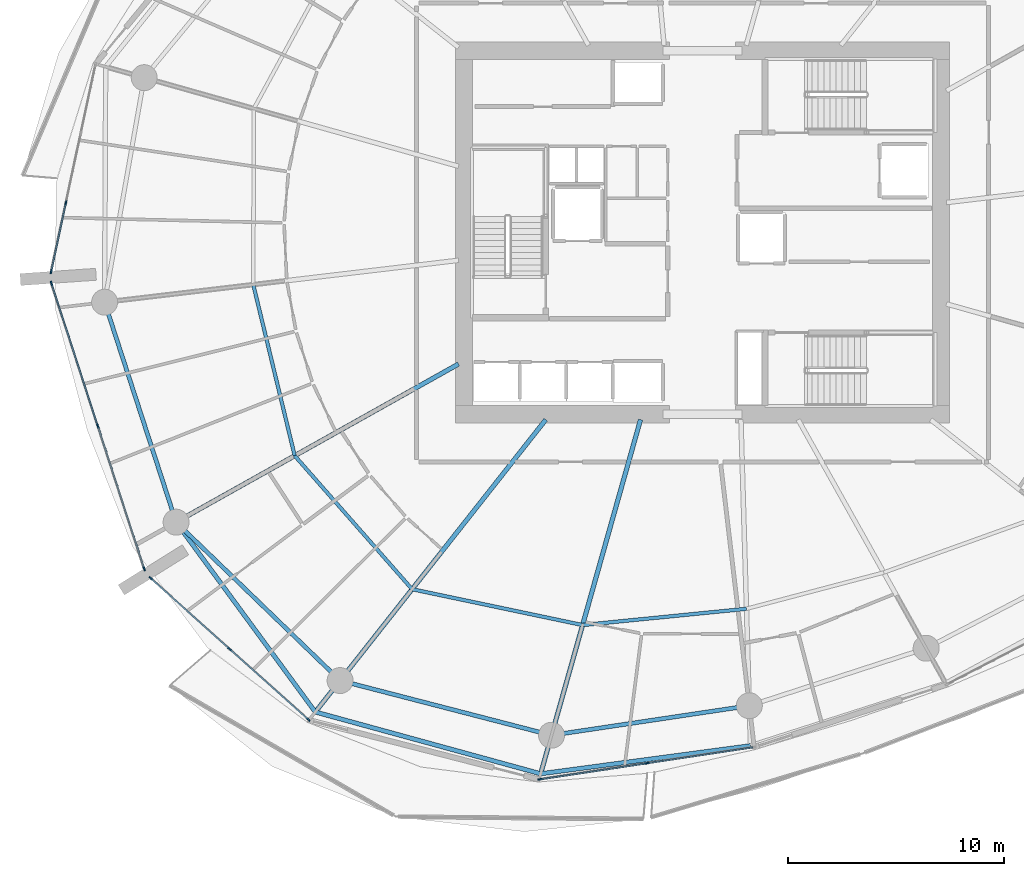
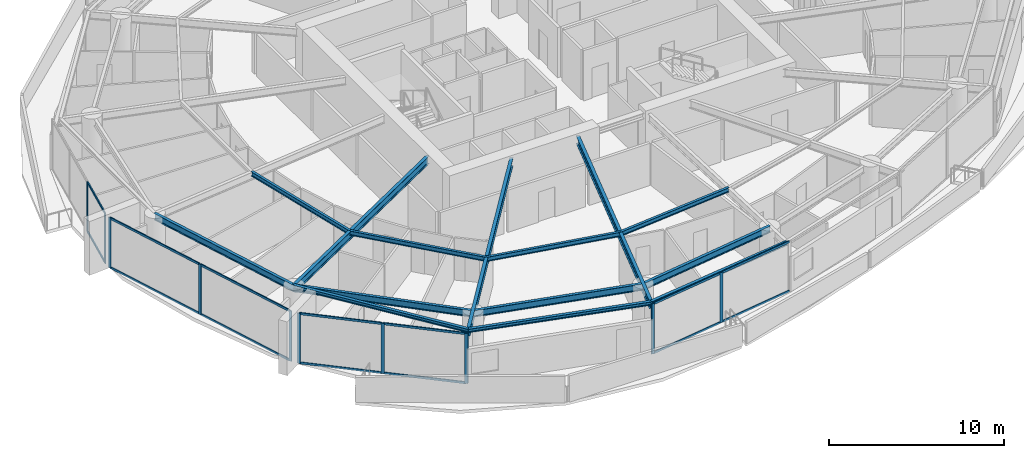
# One storey, part 5 of 23: 24 members, 14 beams, 4 elements without a shape of their own.
"""IFC4 building model written with IfcOpenShell, lengths in metres."""

from ifc_helpers import new_model, si_unit, direction, frame, origin, origin_2d, place, context, subcontext, project, spatial, rectangle, i_section, extrude, material, layer, layer_set, material_profile, profile_set, type_object, element, aggregate, save


model = new_model("IFC4")

# Units and contexts
model_context = context("Model", 3, precision=1e-05, world=origin(), true_north=direction((0.0, 1.0)))
body_context = subcontext(model_context, "Body", "Model", "MODEL_VIEW")
ifc_project = project(units=[si_unit("LENGTHUNIT", "METRE"), si_unit("AREAUNIT", "SQUARE_METRE"), si_unit("VOLUMEUNIT", "CUBIC_METRE"), si_unit("PLANEANGLEUNIT", "RADIAN"), si_unit("MASSUNIT", "GRAM", prefix="KILO")], contexts=[model_context])

# Site, building, storey
site_placement = place(None, origin())
site = spatial("IfcSite", under=ifc_project, at=site_placement, CompositionType="ELEMENT")
building_placement = place(site_placement, origin())
building = spatial("IfcBuilding", under=site, at=building_placement, Name="Kazma Halo Residences", CompositionType="ELEMENT")
storey_placement = place(building_placement, frame((0.0, 0.0, 86.39990234375)))
storey = spatial("IfcBuildingStorey", under=building, at=storey_placement, Name="L21", CompositionType="ELEMENT", Elevation=86.39990234375)

# Beams
ifc_material_1 = material(Name="Steel S355", Category="steel")
ifc_material_profile_1 = material_profile(ifc_material_1, i_section(OverallWidth=0.201904296875, OverallDepth=0.2470703125, WebThickness=0.00732421875, FlangeThickness=0.010986328125, FilletRadius=0.011962890625, at=origin_2d()), Name="W250x49.1")
ifc_profile_set_1 = profile_set([ifc_material_profile_1], Name="Steel S355")
beam_type_1 = type_object("IfcBeamType", Name="BM-BAL-CANT", PredefinedType="BEAM", material=ifc_profile_set_1)
beam_1_placement = place(storey_placement, frame((24.0966796875, 28.613525390625, 3.376708984375), z_axis=(0.59144927253, -0.806342209005, 0.0), x_axis=(0.806342209005, 0.59144927253, 0.0)))
element("IfcBeam", 1, at=beam_1_placement, inside=storey, type_object=beam_type_1, Name="L21 wave-balcony lead tie beam 09", PredefinedType="BEAM", context=body_context, shape_type="SweptSolid", body=[
    extrude(i_section(OverallWidth=0.201904296875, OverallDepth=0.2470703125, WebThickness=0.00732421875, FlangeThickness=0.010986328125, FilletRadius=0.011962890625, at=origin_2d()), origin(), (0.0, 0.0, 1.0), 10.87939453125),
])
beam_2_placement = place(storey_placement, frame((30.53125, 19.841064453125, 3.376708984375), z_axis=(0.964396617, -0.264460139, 0.0), x_axis=(0.264460139, 0.964396617, 0.0)))
element("IfcBeam", 2, at=beam_2_placement, inside=storey, type_object=beam_type_1, Name="L21 wave-balcony tie beam 10", PredefinedType="BEAM", context=body_context, shape_type="SweptSolid", body=[
    extrude(i_section(OverallWidth=0.201904296875, OverallDepth=0.2470703125, WebThickness=0.00732421875, FlangeThickness=0.010986328125, FilletRadius=0.011962890625, at=origin_2d()), origin(), (0.0, 0.0, 1.0), 10.79833984375),
])
beam_3_placement = place(storey_placement, frame((40.945068359375, 16.9853515625, 3.376708984375), z_axis=(0.991182511795, 0.13250369169, 0.0), x_axis=(-0.13250369169, 0.991182511795, 0.0)))
element("IfcBeam", 3, at=beam_3_placement, inside=storey, type_object=beam_type_1, Name="L21 wave-balcony tie beam 11", PredefinedType="BEAM", context=body_context, shape_type="SweptSolid", body=[
    extrude(i_section(OverallWidth=0.201904296875, OverallDepth=0.2470703125, WebThickness=0.00732421875, FlangeThickness=0.010986328125, FilletRadius=0.011962890625, at=origin_2d()), origin(), (0.0, 0.0, 1.0), 9.78369140625),
])
ifc_material_profile_2 = material_profile(ifc_material_1, i_section(OverallWidth=0.208984375, OverallDepth=0.532958984375, WebThickness=0.01025390625, FlangeThickness=0.015625, FilletRadius=0.01611328125, at=origin_2d()), Name="W530x92")
ifc_profile_set_2 = profile_set([ifc_material_profile_2], Name="Steel S355")
beam_type_2 = type_object("IfcBeamType", Name="BM-RAD-W530", PredefinedType="BEAM", material=ifc_profile_set_2)
beam_4_placement = place(storey_placement, frame((37.14990234375, 35.923583984375, 3.233642578125), z_axis=(-0.87249878074, -0.488616288724, 0.0), x_axis=(0.488616288724, -0.87249878074, 0.0)))
element("IfcBeam", 4, at=beam_4_placement, inside=storey, type_object=beam_type_2, Name="L21 radial floor beam 09", PredefinedType="BEAM", context=body_context, shape_type="SweptSolid", body=[
    extrude(i_section(OverallWidth=0.208984375, OverallDepth=0.532958984375, WebThickness=0.01025390625, FlangeThickness=0.015625, FilletRadius=0.01611328125, at=origin_2d()), origin(), (0.0, 0.0, 1.0), 14.960693359375),
])
beam_5_placement = place(storey_placement, frame((41.180908203125, 33.35009765625, 3.233642578125), z_axis=(-0.619093774822, -0.785317068436, 0.0), x_axis=(0.785317068436, -0.619093774822, 0.0)))
element("IfcBeam", 5, at=beam_5_placement, inside=storey, type_object=beam_type_2, Name="L21 radial floor beam 10", PredefinedType="BEAM", context=body_context, shape_type="SweptSolid", body=[
    extrude(i_section(OverallWidth=0.208984375, OverallDepth=0.532958984375, WebThickness=0.01025390625, FlangeThickness=0.015625, FilletRadius=0.01611328125, at=origin_2d()), origin(), (0.0, 0.0, 1.0), 17.201904296875),
])
beam_6_placement = place(storey_placement, frame((45.560302734375, 33.35009765625, 3.233642578125), z_axis=(-0.271434928076, -0.962456793742, 0.0), x_axis=(0.962456793742, -0.271434928076, 0.0)))
element("IfcBeam", 6, at=beam_6_placement, inside=storey, type_object=beam_type_2, Name="L21 radial floor beam 11", PredefinedType="BEAM", context=body_context, shape_type="SweptSolid", body=[
    extrude(i_section(OverallWidth=0.208984375, OverallDepth=0.532958984375, WebThickness=0.01025390625, FlangeThickness=0.015625, FilletRadius=0.01611328125, at=origin_2d()), origin(), (0.0, 0.0, 1.0), 17.003173828125),
])
ifc_material_profile_3 = material_profile(ifc_material_1, i_section(OverallWidth=0.1650390625, OverallDepth=0.31005859375, WebThickness=0.005859375, FlangeThickness=0.009765625, FilletRadius=0.011962890625, at=origin_2d()), Name="W310x38.7")
ifc_profile_set_3 = profile_set([ifc_material_profile_3], Name="Steel S355")
beam_type_3 = type_object("IfcBeamType", Name="BM-SEC-W310B", PredefinedType="JOIST", material=ifc_profile_set_3)
beam_7_placement = place(storey_placement, frame((27.6630859375, 39.593017578125, 3.34521484375), z_axis=(0.235442033286, -0.971888393264, 0.0), x_axis=(0.971888393264, 0.235442033286, 0.0)))
element("IfcBeam", 7, at=beam_7_placement, inside=storey, type_object=beam_type_3, Name="L21 circumferential floor joist 08", PredefinedType="JOIST", context=body_context, shape_type="SweptSolid", body=[
    extrude(i_section(OverallWidth=0.1650390625, OverallDepth=0.31005859375, WebThickness=0.005859375, FlangeThickness=0.009765625, FilletRadius=0.011962890625, at=origin_2d()), origin(), (0.0, 0.0, 1.0), 8.137939453125),
])
beam_8_placement = place(storey_placement, frame((29.5791015625, 31.683837890625, 3.34521484375), z_axis=(0.660379309564, -0.750932199003, 0.0), x_axis=(0.750932199003, 0.660379309564, 0.0)))
element("IfcBeam", 8, at=beam_8_placement, inside=storey, type_object=beam_type_3, Name="L21 circumferential floor joist 09", PredefinedType="JOIST", context=body_context, shape_type="SweptSolid", body=[
    extrude(i_section(OverallWidth=0.1650390625, OverallDepth=0.31005859375, WebThickness=0.005859375, FlangeThickness=0.009765625, FilletRadius=0.011962890625, at=origin_2d()), origin(), (0.0, 0.0, 1.0), 8.215087890625),
])
beam_9_placement = place(storey_placement, frame((35.004150390625, 25.514892578125, 3.34521484375), z_axis=(0.978607976751, -0.205733876255, 0.0), x_axis=(0.205733876255, 0.978607976751, 0.0)))
element("IfcBeam", 9, at=beam_9_placement, inside=storey, type_object=beam_type_3, Name="L21 circumferential floor joist 10", PredefinedType="JOIST", context=body_context, shape_type="SweptSolid", body=[
    extrude(i_section(OverallWidth=0.1650390625, OverallDepth=0.31005859375, WebThickness=0.005859375, FlangeThickness=0.009765625, FilletRadius=0.011962890625, at=origin_2d()), origin(), (0.0, 0.0, 1.0), 8.051513671875),
])
beam_10_placement = place(storey_placement, frame((42.883544921875, 23.8583984375, 3.34521484375), z_axis=(0.995106821048, 0.098804932586, 0.0), x_axis=(-0.098804932586, 0.995106821048, 0.0)))
element("IfcBeam", 10, at=beam_10_placement, inside=storey, type_object=beam_type_3, Name="L21 circumferential floor joist 11", PredefinedType="JOIST", context=body_context, shape_type="SweptSolid", body=[
    extrude(i_section(OverallWidth=0.1650390625, OverallDepth=0.31005859375, WebThickness=0.005859375, FlangeThickness=0.009765625, FilletRadius=0.011962890625, at=origin_2d()), origin(), (0.0, 0.0, 1.0), 7.610595703125),
])
ifc_material_profile_4 = material_profile(ifc_material_1, i_section(OverallWidth=0.18994140625, OverallDepth=0.45703125, WebThickness=0.009033203125, FlangeThickness=0.014404296875, FilletRadius=0.01611328125, at=origin_2d()), Name="W460x74")
ifc_profile_set_4 = profile_set([ifc_material_profile_4], Name="Steel S355")
beam_type_4 = type_object("IfcBeamType", Name="BM-SPN-W460", PredefinedType="BEAM", material=ifc_profile_set_4)
beam_11_placement = place(storey_placement, frame((20.79345703125, 38.77978515625, 3.271484375), z_axis=(0.309017385422, -0.951056389236, 0.0), x_axis=(0.951056389236, 0.309017385422, 0.0)))
element("IfcBeam", 11, at=beam_11_placement, inside=storey, type_object=beam_type_4, Name="L21 perimeter ring beam 08", PredefinedType="BEAM", context=body_context, shape_type="SweptSolid", body=[
    extrude(i_section(OverallWidth=0.18994140625, OverallDepth=0.45703125, WebThickness=0.009033203125, FlangeThickness=0.014404296875, FilletRadius=0.01611328125, at=origin_2d()), origin(), (0.0, 0.0, 1.0), 10.689453125),
])
beam_12_placement = place(storey_placement, frame((24.0966796875, 28.613525390625, 3.271484375), z_axis=(0.719336783114, -0.694661494873, 0.0), x_axis=(0.694661494873, 0.719336783114, 0.0)))
element("IfcBeam", 12, at=beam_12_placement, inside=storey, type_object=beam_type_4, Name="L21 perimeter ring beam 09", PredefinedType="BEAM", context=body_context, shape_type="SweptSolid", body=[
    extrude(i_section(OverallWidth=0.18994140625, OverallDepth=0.45703125, WebThickness=0.009033203125, FlangeThickness=0.014404296875, FilletRadius=0.01611328125, at=origin_2d()), origin(), (0.0, 0.0, 1.0), 10.537353515625),
])
beam_13_placement = place(storey_placement, frame((31.676513671875, 21.293701171875, 3.271484375), z_axis=(0.968124968683, -0.250467652626, 0.0), x_axis=(0.250467652626, 0.968124968683, 0.0)))
element("IfcBeam", 13, at=beam_13_placement, inside=storey, type_object=beam_type_4, Name="L21 perimeter ring beam 10", PredefinedType="BEAM", context=body_context, shape_type="SweptSolid", body=[
    extrude(i_section(OverallWidth=0.18994140625, OverallDepth=0.45703125, WebThickness=0.009033203125, FlangeThickness=0.014404296875, FilletRadius=0.01611328125, at=origin_2d()), origin(), (0.0, 0.0, 1.0), 10.092529296875),
])
beam_14_placement = place(storey_placement, frame((41.447265625, 18.765869140625, 3.271484375), z_axis=(0.989034176303, 0.147686824414, 0.0), x_axis=(-0.147686824414, 0.989034176303, 0.0)))
element("IfcBeam", 14, at=beam_14_placement, inside=storey, type_object=beam_type_4, Name="L21 perimeter ring beam 11", PredefinedType="BEAM", context=body_context, shape_type="SweptSolid", body=[
    extrude(i_section(OverallWidth=0.18994140625, OverallDepth=0.45703125, WebThickness=0.009033203125, FlangeThickness=0.014404296875, FilletRadius=0.01611328125, at=origin_2d()), origin(), (0.0, 0.0, 1.0), 9.242431640625),
])

# Curtain wall, members
ifc_material_2 = material(Name="Aluminium AW-6063 T6 and Triple-Silver Low-E Glass", Category="aluminium")
ifc_layer = layer(ifc_material_2, 0.199951171875)
ifc_layer_set = layer_set([ifc_layer], Name="Aluminium AW-6063 T6 and Triple-Silver Low-E Glass")
curtain_wall_type = type_object("IfcCurtainWallType", Name="CW-SYS-3", PredefinedType="NOTDEFINED", material=ifc_layer_set)
curtain_wall_1_placement = place(storey_placement, origin())
curtain_wall_1 = element("IfcCurtainWall", 15, at=curtain_wall_1_placement, inside=storey, type_object=curtain_wall_type, Name="L21 unitised curtain wall B07", PredefinedType="NOTDEFINED")
ifc_material_3 = material(Name="Aluminium AW-6063 T6", Category="aluminium")
ifc_material_profile_5 = material_profile(ifc_material_3, rectangle(XDim=0.070068359375, YDim=0.199951171875, at=origin_2d()), Name="CWM-70x200")
ifc_profile_set_5 = profile_set([ifc_material_profile_5], Name="Aluminium AW-6063 T6")
member_type_1 = type_object("IfcMemberType", Name="CW-SYS-3-MUL", PredefinedType="MULLION", material=ifc_profile_set_5)
member_1_placement = place(storey_placement, frame((19.004638671875, 43.36865234375, 0.0), z_axis=(0.0, 0.0, 1.0), x_axis=(0.977774176093, -0.209660822677, 0.0)))
member_1 = element("IfcMember", 16, at=member_1_placement, type_object=member_type_1, Name="CWS-3 mullion 3", PredefinedType="MULLION", context=body_context, shape_type="SweptSolid", body=[
    extrude(rectangle(XDim=0.070068359375, YDim=0.199951171875, at=origin_2d()), origin(), (0.0, 0.0, 1.0), 3.5),
])
member_2_placement = place(storey_placement, frame((18.323486328125, 40.192626953125, 0.0), z_axis=(0.0, 0.0, 1.0), x_axis=(0.977774176093, -0.209660822677, 0.0)))
member_2 = element("IfcMember", 17, at=member_2_placement, type_object=member_type_1, Name="CWS-3 mullion 4", PredefinedType="MULLION", context=body_context, shape_type="SweptSolid", body=[
    extrude(rectangle(XDim=0.070068359375, YDim=0.199951171875, at=origin_2d()), origin(), (0.0, 0.0, 1.0), 3.5),
])

curtain_wall_2_placement = place(storey_placement, origin())
curtain_wall_2 = element("IfcCurtainWall", 18, at=curtain_wall_2_placement, inside=storey, type_object=curtain_wall_type, Name="L21 unitised curtain wall B08", PredefinedType="NOTDEFINED")
member_3_placement = place(storey_placement, frame((18.334716796875, 39.6572265625, 0.0), z_axis=(0.0, 0.0, 1.0), x_axis=(0.951057722508, 0.309013282008, 0.0)))
member_3 = element("IfcMember", 19, at=member_3_placement, type_object=member_type_1, Name="CWS-3 mullion 1", PredefinedType="MULLION", context=body_context, shape_type="SweptSolid", body=[
    extrude(rectangle(XDim=0.070068359375, YDim=0.199951171875, at=origin_2d()), origin(), (0.0, 0.0, 1.0), 3.5),
])
member_4_placement = place(storey_placement, frame((20.47900390625, 33.057861328125, 0.0), z_axis=(0.0, 0.0, 1.0), x_axis=(0.951057722508, 0.309013282008, 0.0)))
member_4 = element("IfcMember", 20, at=member_4_placement, type_object=member_type_1, Name="CWS-3 mullion 2", PredefinedType="MULLION", context=body_context, shape_type="SweptSolid", body=[
    extrude(rectangle(XDim=0.070068359375, YDim=0.199951171875, at=origin_2d()), origin(), (0.0, 0.0, 1.0), 3.5),
])
member_5_placement = place(storey_placement, frame((22.623291015625, 26.45849609375, 0.0), z_axis=(0.0, 0.0, 1.0), x_axis=(0.951057722508, 0.309013282008, 0.0)))
member_5 = element("IfcMember", 21, at=member_5_placement, type_object=member_type_1, Name="CWS-3 mullion 3", PredefinedType="MULLION", context=body_context, shape_type="SweptSolid", body=[
    extrude(rectangle(XDim=0.070068359375, YDim=0.199951171875, at=origin_2d()), origin(), (0.0, 0.0, 1.0), 3.5),
])

curtain_wall_3_placement = place(storey_placement, origin())
curtain_wall_3 = element("IfcCurtainWall", 22, at=curtain_wall_3_placement, inside=storey, type_object=curtain_wall_type, Name="L21 unitised curtain wall B09", PredefinedType="NOTDEFINED")
member_6_placement = place(storey_placement, frame((22.928955078125, 26.018798828125, 0.0), z_axis=(0.0, 0.0, 1.0), x_axis=(0.667794957375, 0.744345279359, 0.0)))
member_6 = element("IfcMember", 23, at=member_6_placement, type_object=member_type_1, Name="CWS-3 mullion 1", PredefinedType="MULLION", context=body_context, shape_type="SweptSolid", body=[
    extrude(rectangle(XDim=0.070068359375, YDim=0.199951171875, at=origin_2d()), origin(), (0.0, 0.0, 1.0), 3.5),
])
member_7_placement = place(storey_placement, frame((26.568603515625, 22.75341796875, 0.0), z_axis=(0.0, 0.0, 1.0), x_axis=(0.667794957375, 0.744345279359, 0.0)))
member_7 = element("IfcMember", 24, at=member_7_placement, type_object=member_type_1, Name="CWS-3 mullion 2", PredefinedType="MULLION", context=body_context, shape_type="SweptSolid", body=[
    extrude(rectangle(XDim=0.070068359375, YDim=0.199951171875, at=origin_2d()), origin(), (0.0, 0.0, 1.0), 3.5),
])
member_8_placement = place(storey_placement, frame((30.208251953125, 19.48779296875, 0.0), z_axis=(0.0, 0.0, 1.0), x_axis=(0.667794957375, 0.744345279359, 0.0)))
member_8 = element("IfcMember", 25, at=member_8_placement, type_object=member_type_1, Name="CWS-3 mullion 3", PredefinedType="MULLION", context=body_context, shape_type="SweptSolid", body=[
    extrude(rectangle(XDim=0.070068359375, YDim=0.199951171875, at=origin_2d()), origin(), (0.0, 0.0, 1.0), 3.5),
])

curtain_wall_4_placement = place(storey_placement, origin())
curtain_wall_4 = element("IfcCurtainWall", 26, at=curtain_wall_4_placement, inside=storey, type_object=curtain_wall_type, Name="L21 unitised curtain wall B11", PredefinedType="NOTDEFINED")
member_9_placement = place(storey_placement, frame((40.90576171875, 16.728271484375, 0.0), z_axis=(0.0, 0.0, 1.0), x_axis=(-0.148717330409, 0.988879747814, 0.0)))
member_9 = element("IfcMember", 27, at=member_9_placement, type_object=member_type_1, Name="CWS-3 mullion 1", PredefinedType="MULLION", context=body_context, shape_type="SweptSolid", body=[
    extrude(rectangle(XDim=0.070068359375, YDim=0.199951171875, at=origin_2d()), origin(), (0.0, 0.0, 1.0), 3.5),
])
member_10_placement = place(storey_placement, frame((45.843017578125, 17.470703125, 0.0), z_axis=(0.0, 0.0, 1.0), x_axis=(-0.148717330409, 0.988879747814, 0.0)))
member_10 = element("IfcMember", 28, at=member_10_placement, type_object=member_type_1, Name="CWS-3 mullion 2", PredefinedType="MULLION", context=body_context, shape_type="SweptSolid", body=[
    extrude(rectangle(XDim=0.070068359375, YDim=0.199951171875, at=origin_2d()), origin(), (0.0, 0.0, 1.0), 3.5),
])

# Member
ifc_material_profile_6 = material_profile(ifc_material_3, rectangle(XDim=0.070068359375, YDim=0.14990234375, at=origin_2d()), Name="CWT-70x150")
ifc_profile_set_6 = profile_set([ifc_material_profile_6], Name="Aluminium AW-6063 T6")
member_type_2 = type_object("IfcMemberType", Name="CW-SYS-3-TRN", PredefinedType="USERDEFINED", material=ifc_profile_set_6)
member_11_placement = place(storey_placement, frame((18.997314453125, 43.33447265625, 0.03515625), z_axis=(-0.209717949017, -0.977761924939, 0.0), x_axis=(0.977761924939, -0.209717949017, 0.0)))
member_11 = element("IfcMember", 29, at=member_11_placement, type_object=member_type_2, Name="CWS-3 transom 3.1", ObjectType="TRANSOM", PredefinedType="USERDEFINED", context=body_context, shape_type="SweptSolid", body=[
    extrude(rectangle(XDim=0.070068359375, YDim=0.14990234375, at=origin_2d()), origin(), (0.0, 0.0, 1.0), 3.177978515625),
])

member_12_placement = place(storey_placement, frame((18.997314453125, 43.33447265625, 3.465087890625), z_axis=(-0.209717949017, -0.977761924939, 0.0), x_axis=(0.977761924939, -0.209717949017, 0.0)))
member_12 = element("IfcMember", 30, at=member_12_placement, type_object=member_type_2, Name="CWS-3 transom 3.2", ObjectType="TRANSOM", PredefinedType="USERDEFINED", context=body_context, shape_type="SweptSolid", body=[
    extrude(rectangle(XDim=0.070068359375, YDim=0.14990234375, at=origin_2d()), origin(), (0.0, 0.0, 1.0), 3.177978515625),
])

aggregate(curtain_wall_1, [member_1, member_2, member_11, member_12])

member_13_placement = place(storey_placement, frame((18.345458984375, 39.6240234375, 0.03515625), z_axis=(0.309000079699, -0.95106201204, 0.0), x_axis=(0.95106201204, 0.309000079699, 0.0)))
member_13 = element("IfcMember", 31, at=member_13_placement, type_object=member_type_2, Name="CWS-3 transom 1.1", ObjectType="TRANSOM", PredefinedType="USERDEFINED", context=body_context, shape_type="SweptSolid", body=[
    extrude(rectangle(XDim=0.070068359375, YDim=0.14990234375, at=origin_2d()), origin(), (0.0, 0.0, 1.0), 6.869140625),
])

member_14_placement = place(storey_placement, frame((18.345458984375, 39.6240234375, 3.465087890625), z_axis=(0.309000079699, -0.95106201204, 0.0), x_axis=(0.95106201204, 0.309000079699, 0.0)))
member_14 = element("IfcMember", 32, at=member_14_placement, type_object=member_type_2, Name="CWS-3 transom 1.2", ObjectType="TRANSOM", PredefinedType="USERDEFINED", context=body_context, shape_type="SweptSolid", body=[
    extrude(rectangle(XDim=0.070068359375, YDim=0.14990234375, at=origin_2d()), origin(), (0.0, 0.0, 1.0), 6.869140625),
])

member_15_placement = place(storey_placement, frame((20.48974609375, 33.024658203125, 0.03515625), z_axis=(0.309000079699, -0.95106201204, 0.0), x_axis=(0.95106201204, 0.309000079699, 0.0)))
member_15 = element("IfcMember", 33, at=member_15_placement, type_object=member_type_2, Name="CWS-3 transom 2.1", ObjectType="TRANSOM", PredefinedType="USERDEFINED", context=body_context, shape_type="SweptSolid", body=[
    extrude(rectangle(XDim=0.070068359375, YDim=0.14990234375, at=origin_2d()), origin(), (0.0, 0.0, 1.0), 6.869140625),
])

member_16_placement = place(storey_placement, frame((20.48974609375, 33.024658203125, 3.465087890625), z_axis=(0.309000079699, -0.95106201204, 0.0), x_axis=(0.95106201204, 0.309000079699, 0.0)))
member_16 = element("IfcMember", 34, at=member_16_placement, type_object=member_type_2, Name="CWS-3 transom 2.2", ObjectType="TRANSOM", PredefinedType="USERDEFINED", context=body_context, shape_type="SweptSolid", body=[
    extrude(rectangle(XDim=0.070068359375, YDim=0.14990234375, at=origin_2d()), origin(), (0.0, 0.0, 1.0), 6.869140625),
])

aggregate(curtain_wall_2, [member_3, member_4, member_5, member_13, member_14, member_15, member_16])

member_17_placement = place(storey_placement, frame((22.954833984375, 25.995361328125, 0.03515625), z_axis=(0.744338471453, -0.667802545603, 0.0), x_axis=(0.667802545603, 0.744338471453, 0.0)))
member_17 = element("IfcMember", 35, at=member_17_placement, type_object=member_type_2, Name="CWS-3 transom 1.1", ObjectType="TRANSOM", PredefinedType="USERDEFINED", context=body_context, shape_type="SweptSolid", body=[
    extrude(rectangle(XDim=0.070068359375, YDim=0.14990234375, at=origin_2d()), origin(), (0.0, 0.0, 1.0), 4.81982421875),
])

member_18_placement = place(storey_placement, frame((22.954833984375, 25.995361328125, 3.465087890625), z_axis=(0.744338471453, -0.667802545603, 0.0), x_axis=(0.667802545603, 0.744338471453, 0.0)))
member_18 = element("IfcMember", 36, at=member_18_placement, type_object=member_type_2, Name="CWS-3 transom 1.2", ObjectType="TRANSOM", PredefinedType="USERDEFINED", context=body_context, shape_type="SweptSolid", body=[
    extrude(rectangle(XDim=0.070068359375, YDim=0.14990234375, at=origin_2d()), origin(), (0.0, 0.0, 1.0), 4.81982421875),
])

member_19_placement = place(storey_placement, frame((26.5947265625, 22.72998046875, 0.03515625), z_axis=(0.744338471453, -0.667802545603, 0.0), x_axis=(0.667802545603, 0.744338471453, 0.0)))
member_19 = element("IfcMember", 37, at=member_19_placement, type_object=member_type_2, Name="CWS-3 transom 2.1", ObjectType="TRANSOM", PredefinedType="USERDEFINED", context=body_context, shape_type="SweptSolid", body=[
    extrude(rectangle(XDim=0.070068359375, YDim=0.14990234375, at=origin_2d()), origin(), (0.0, 0.0, 1.0), 4.81982421875),
])

member_20_placement = place(storey_placement, frame((26.5947265625, 22.72998046875, 3.465087890625), z_axis=(0.744338471453, -0.667802545603, 0.0), x_axis=(0.667802545603, 0.744338471453, 0.0)))
member_20 = element("IfcMember", 38, at=member_20_placement, type_object=member_type_2, Name="CWS-3 transom 2.2", ObjectType="TRANSOM", PredefinedType="USERDEFINED", context=body_context, shape_type="SweptSolid", body=[
    extrude(rectangle(XDim=0.070068359375, YDim=0.14990234375, at=origin_2d()), origin(), (0.0, 0.0, 1.0), 4.81982421875),
])

aggregate(curtain_wall_3, [member_6, member_7, member_8, member_17, member_18, member_19, member_20])

member_21_placement = place(storey_placement, frame((40.9404296875, 16.7333984375, 0.03515625), z_axis=(0.988876977991, 0.148735746878, 0.0), x_axis=(-0.148735746878, 0.988876977991, 0.0)))
member_21 = element("IfcMember", 39, at=member_21_placement, type_object=member_type_2, Name="CWS-3 transom 1.1", ObjectType="TRANSOM", PredefinedType="USERDEFINED", context=body_context, shape_type="SweptSolid", body=[
    extrude(rectangle(XDim=0.070068359375, YDim=0.14990234375, at=origin_2d()), origin(), (0.0, 0.0, 1.0), 4.922607421875),
])

member_22_placement = place(storey_placement, frame((40.9404296875, 16.7333984375, 3.465087890625), z_axis=(0.988876977991, 0.148735746878, 0.0), x_axis=(-0.148735746878, 0.988876977991, 0.0)))
member_22 = element("IfcMember", 40, at=member_22_placement, type_object=member_type_2, Name="CWS-3 transom 1.2", ObjectType="TRANSOM", PredefinedType="USERDEFINED", context=body_context, shape_type="SweptSolid", body=[
    extrude(rectangle(XDim=0.070068359375, YDim=0.14990234375, at=origin_2d()), origin(), (0.0, 0.0, 1.0), 4.922607421875),
])

member_23_placement = place(storey_placement, frame((45.87744140625, 17.47607421875, 0.03515625), z_axis=(0.988884271372, 0.148687248386, 0.0), x_axis=(-0.148687248386, 0.988884271372, 0.0)))
member_23 = element("IfcMember", 41, at=member_23_placement, type_object=member_type_2, Name="CWS-3 transom 2.1", ObjectType="TRANSOM", PredefinedType="USERDEFINED", context=body_context, shape_type="SweptSolid", body=[
    extrude(rectangle(XDim=0.070068359375, YDim=0.14990234375, at=origin_2d()), origin(), (0.0, 0.0, 1.0), 4.922607421875),
])

member_24_placement = place(storey_placement, frame((45.87744140625, 17.47607421875, 3.465087890625), z_axis=(0.988884271372, 0.148687248386, 0.0), x_axis=(-0.148687248386, 0.988884271372, 0.0)))
member_24 = element("IfcMember", 42, at=member_24_placement, type_object=member_type_2, Name="CWS-3 transom 2.2", ObjectType="TRANSOM", PredefinedType="USERDEFINED", context=body_context, shape_type="SweptSolid", body=[
    extrude(rectangle(XDim=0.070068359375, YDim=0.14990234375, at=origin_2d()), origin(), (0.0, 0.0, 1.0), 4.922607421875),
])

aggregate(curtain_wall_4, [member_9, member_10, member_21, member_22, member_23, member_24])

save(model, "model.ifc")
